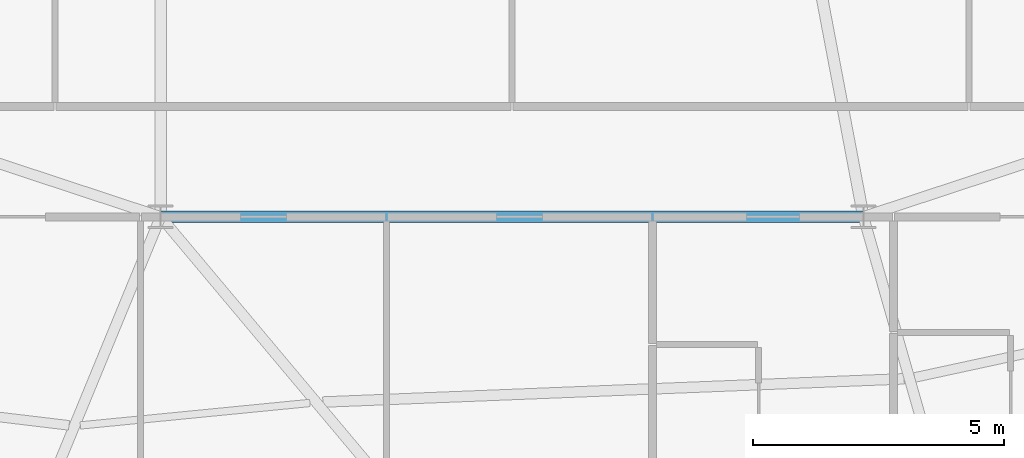
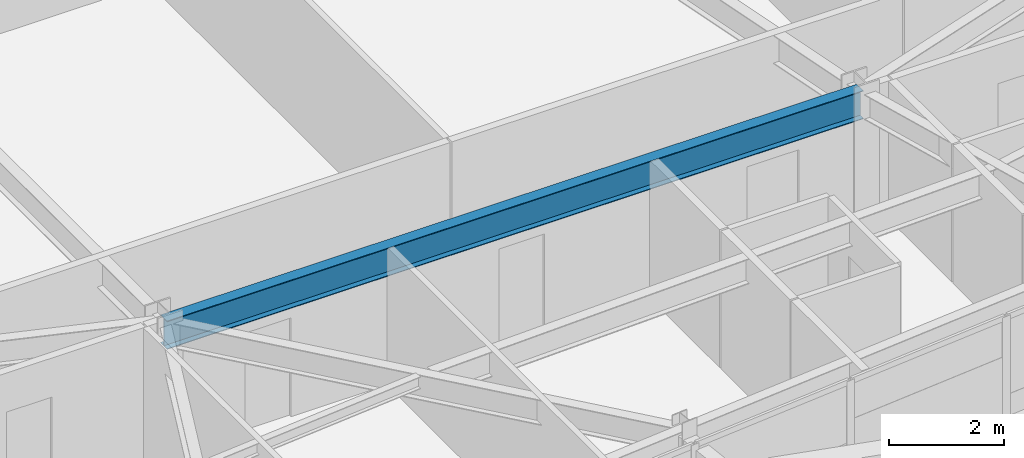
# One storey, part 12 of 53: 1 beam.
"""IFC4 building model written with IfcOpenShell, lengths in metres."""

from ifc_helpers import new_model, si_unit, direction, frame, origin, origin_2d, place, context, subcontext, project, spatial, i_section, extrude, source, transform, mapped, material, material_profile, profile_set, type_object, element, save


model = new_model("IFC4")

# Units and contexts
model_context = context("Model", 3, precision=1e-05, world=origin(), true_north=direction((0.0, 1.0)))
body_context = subcontext(model_context, "Body", "Model", "MODEL_VIEW")
ifc_project = project(units=[si_unit("LENGTHUNIT", "METRE"), si_unit("AREAUNIT", "SQUARE_METRE"), si_unit("VOLUMEUNIT", "CUBIC_METRE"), si_unit("PLANEANGLEUNIT", "RADIAN"), si_unit("MASSUNIT", "GRAM", prefix="KILO")], contexts=[model_context])

# Site, building, storey
site_placement = place(None, origin())
site = spatial("IfcSite", under=ifc_project, at=site_placement, CompositionType="ELEMENT")
building_placement = place(site_placement, origin())
building = spatial("IfcBuilding", under=site, at=building_placement, Name="Taldren Reach Tower", CompositionType="ELEMENT")
storey_placement = place(building_placement, frame((0.0, 0.0, 71.39990234375)))
storey = spatial("IfcBuildingStorey", under=building, at=storey_placement, Name="L21", CompositionType="ELEMENT", Elevation=71.39990234375)

# Beam
ifc_material = material(Name="Steel Gr 350 (350PLUS)", Category="steel")
ifc_material_profile = material_profile(ifc_material, i_section(OverallWidth=0.22802734375, OverallDepth=0.60205078125, WebThickness=0.010498046875, FlangeThickness=0.014892578125, at=origin_2d()), Name="610UB101")
ifc_profile_set = profile_set([ifc_material_profile], Name="Steel Gr 350 (350PLUS)")
beam_type = type_object("IfcBeamType", Name="BM-UB610B", PredefinedType="BEAM", material=ifc_profile_set)
shared_shape = source(origin(), body_context, "Body", "SweptSolid", [
    extrude(i_section(OverallWidth=0.22802734375, OverallDepth=0.60205078125, WebThickness=0.010498046875, FlangeThickness=0.014892578125, at=origin_2d()), origin(), (0.0, 0.0, 1.0), 14.0),
])
beam_placement = place(storey_placement, frame((28.0, 9.199951171875, 2.629150390625), z_axis=(1.0, 0.0, 0.0), x_axis=(0.0, 1.0, 0.0)))
element("IfcBeam", 1, at=beam_placement, inside=storey, type_object=beam_type, Name="Core-spine girder L21-SP11", PredefinedType="BEAM", context=body_context, shape_type="MappedRepresentation", body=[
    mapped(shared_shape, transform((0.0, 0.0, 0.0), scale=1.0)),
])

save(model, "model.ifc")
